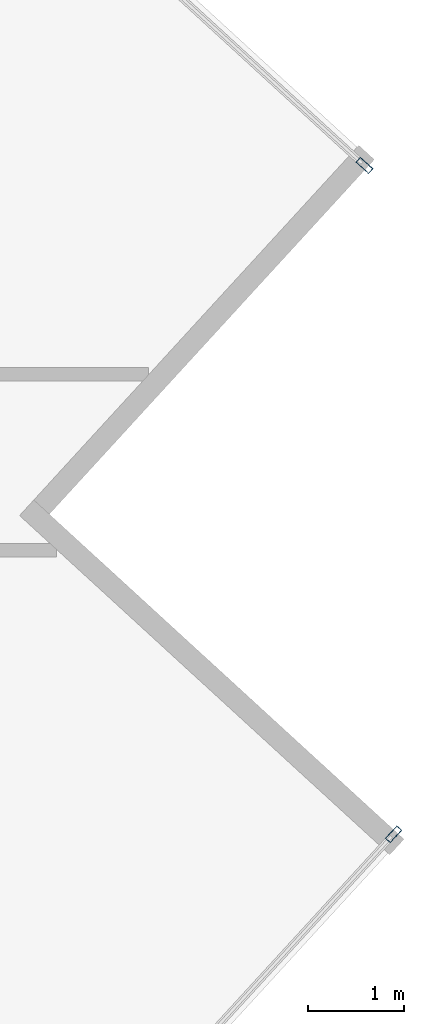
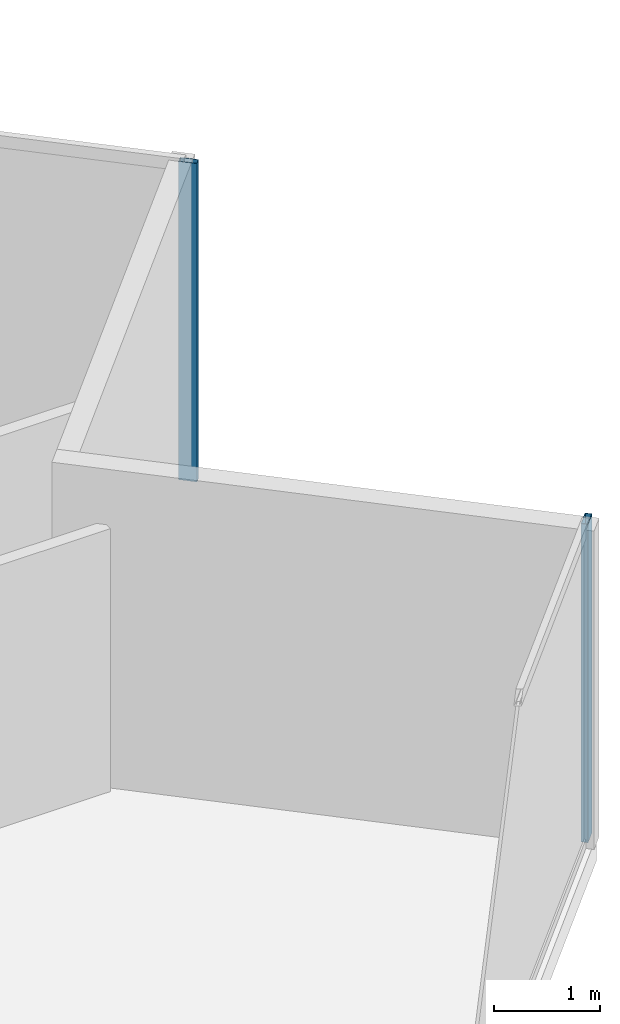
# One storey, part 13 of 26: 2 members, 2 elements without a shape of their own.
"""IFC4 building model written with IfcOpenShell, lengths in metres."""

from ifc_helpers import new_model, si_unit, direction, frame, origin, origin_2d, place, context, subcontext, project, spatial, hollow_rectangle, extrude, source, transform, mapped, material, material_profile, profile_set, type_object, type_shapes, element, aggregate, save


model = new_model("IFC4")

# Units and contexts
model_context = context("Model", 3, precision=1e-05, world=origin(), true_north=direction((0.0, 1.0)))
body_context = subcontext(model_context, "Body", "Model", "MODEL_VIEW")
ifc_project = project(units=[si_unit("LENGTHUNIT", "METRE"), si_unit("AREAUNIT", "SQUARE_METRE"), si_unit("VOLUMEUNIT", "CUBIC_METRE"), si_unit("PLANEANGLEUNIT", "RADIAN"), si_unit("MASSUNIT", "GRAM", prefix="KILO")], contexts=[model_context])

# Site, building, storey
site_placement = place(None, origin())
site = spatial("IfcSite", under=ifc_project, at=site_placement, CompositionType="ELEMENT")
building_placement = place(site_placement, origin())
building = spatial("IfcBuilding", under=site, at=building_placement, Name="Krantzveldt Concourse Tower", CompositionType="ELEMENT")
storey_placement = place(building_placement, frame((0.0, 0.0, 219.14990234375)))
storey = spatial("IfcBuildingStorey", under=building, at=storey_placement, Name="L53", CompositionType="ELEMENT", Elevation=219.14990234375)

# Curtain wall, member
ifc_material = material(Name="Anodised aluminium 6063-T6", Category="aluminium")
curtain_wall_type = type_object("IfcCurtainWallType", Name="CW3", PredefinedType="USERDEFINED", material=ifc_material)
curtain_wall_1_placement = place(storey_placement, origin())
curtain_wall_1 = element("IfcCurtainWall", 1, at=curtain_wall_1_placement, inside=storey, type_object=curtain_wall_type, Name="CW-L53-F11", ObjectType="UNITISED CURTAIN WALL", PredefinedType="USERDEFINED")
ifc_material_profile = material_profile(ifc_material, hollow_rectangle(XDim=0.070068359375, YDim=0.179931640625, WallThickness=0.0048828125, at=origin_2d()), Name="Anodised aluminium 6063-T6", Category="aluminium")
ifc_profile_set = profile_set([ifc_material_profile], Name="Anodised aluminium 6063-T6 - ALU-MULL 180x70x5")
member_type = type_object("IfcMemberType", Name="CW-MUL-180", PredefinedType="MULLION", material=ifc_profile_set)
shared_shape = source(origin(), body_context, "Body", "SweptSolid", [
    extrude(hollow_rectangle(XDim=0.070068359375, YDim=0.179931640625, WallThickness=0.0048828125, at=origin_2d()), origin(), (0.0, 0.0, 1.0), 3.670166015625),
])
type_shapes(member_type, [shared_shape])
member_1_placement = place(storey_placement, frame((61.495849609375, 24.313232421875, 0.0), z_axis=(0.0, 0.0, 1.0), x_axis=(-0.737277769208, 0.675589735736, 0.0)))
member_1 = element("IfcMember", 2, at=member_1_placement, type_object=member_type, Name="CW-Z34 mullion 3", PredefinedType="MULLION", context=body_context, shape_type="MappedRepresentation", body=[
    mapped(shared_shape, transform((0.0, 0.0, 0.0), x_axis=(1.0, 0.0, 0.0), y_axis=(0.0, 1.0, 0.0), z_axis=(0.0, 0.0, 1.0), scale=1.0)),
])
aggregate(curtain_wall_1, [member_1])

curtain_wall_2_placement = place(storey_placement, origin())
curtain_wall_2 = element("IfcCurtainWall", 3, at=curtain_wall_2_placement, inside=storey, type_object=curtain_wall_type, Name="CW-L53-F14", ObjectType="UNITISED CURTAIN WALL", PredefinedType="USERDEFINED")
member_2_placement = place(storey_placement, frame((61.190673828125, 31.2998046875, 0.0), z_axis=(0.0, 0.0, 1.0), x_axis=(-0.675590053651, -0.737277477893, 0.0)))
member_2 = element("IfcMember", 4, at=member_2_placement, type_object=member_type, Name="CW-Z34 mullion 1", PredefinedType="MULLION", context=body_context, shape_type="MappedRepresentation", body=[
    mapped(shared_shape, transform((0.0, 0.0, 0.0), x_axis=(1.0, 0.0, 0.0), y_axis=(0.0, 1.0, 0.0), z_axis=(0.0, 0.0, 1.0), scale=1.0)),
])
aggregate(curtain_wall_2, [member_2])

save(model, "model.ifc")
